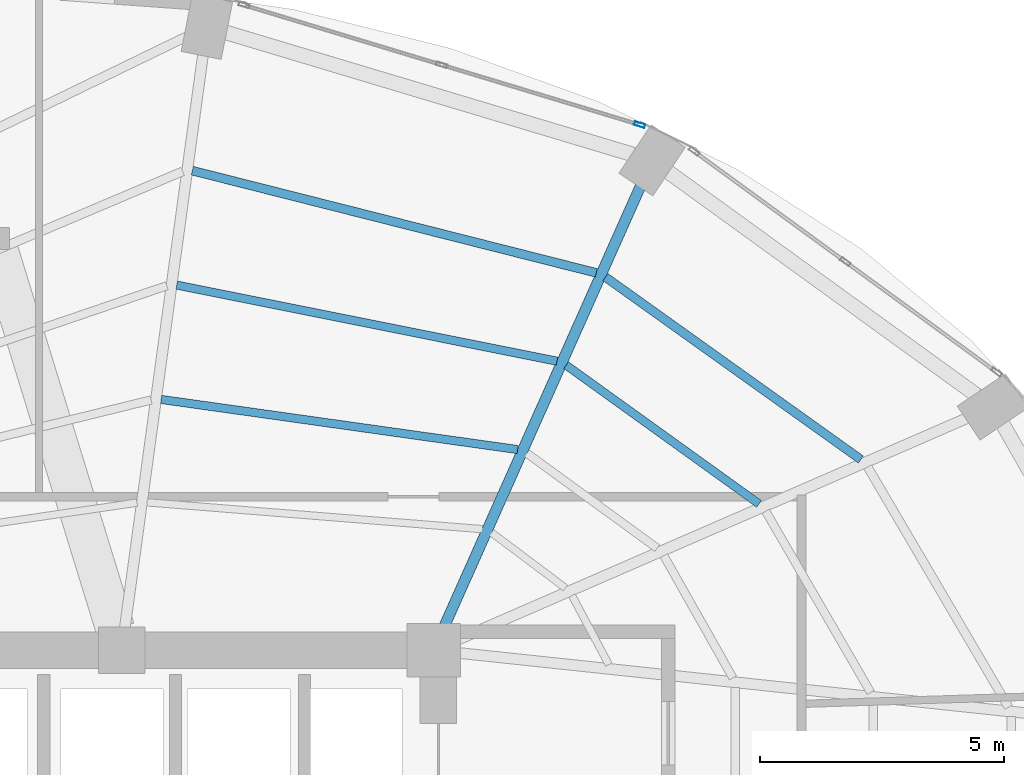
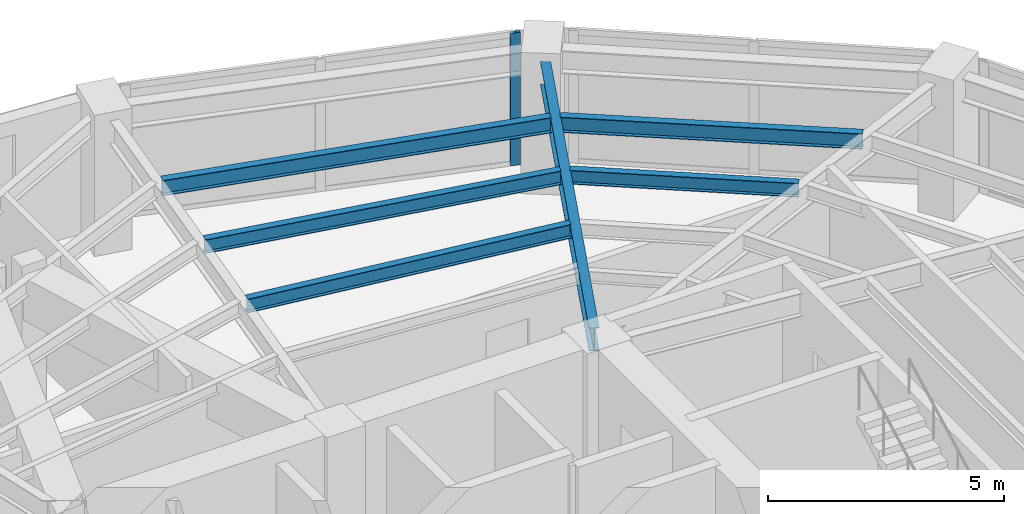
# One storey, part 16 of 23: 6 beams, 1 member, 1 element without a shape of its own.
"""IFC4 building model written with IfcOpenShell, lengths in metres."""

from ifc_helpers import new_model, si_unit, direction, frame, origin, origin_2d, place, context, subcontext, project, spatial, hollow_rectangle, i_section, extrude, material, layer, layer_set, material_profile, profile_set, type_object, element, aggregate, save


model = new_model("IFC4")

# Units and contexts
model_context = context("Model", 3, precision=1e-05, world=origin(), true_north=direction((0.0, 1.0)))
body_context = subcontext(model_context, "Body", "Model", "MODEL_VIEW")
ifc_project = project(units=[si_unit("LENGTHUNIT", "METRE"), si_unit("AREAUNIT", "SQUARE_METRE"), si_unit("VOLUMEUNIT", "CUBIC_METRE"), si_unit("PLANEANGLEUNIT", "RADIAN"), si_unit("MASSUNIT", "GRAM", prefix="KILO")], contexts=[model_context])

# Site, building, storey
site_placement = place(None, origin())
site = spatial("IfcSite", under=ifc_project, at=site_placement, CompositionType="ELEMENT")
building_placement = place(site_placement, origin())
building = spatial("IfcBuilding", under=site, at=building_placement, Name="Lazwardi Medical Tower", CompositionType="ELEMENT")
storey_placement = place(building_placement, frame((0.0, 0.0, 92.68798828125)))
storey = spatial("IfcBuildingStorey", under=building, at=storey_placement, Name="L23", CompositionType="ELEMENT", Elevation=92.68798828125)

# Beams
ifc_material_1 = material(Name="Steel S355", Category="steel")
ifc_material_profile_1 = material_profile(ifc_material_1, i_section(OverallWidth=0.219970703125, OverallDepth=0.60009765625, WebThickness=0.011962890625, FlangeThickness=0.01904296875, at=origin_2d()), Name="IPE 600")
ifc_profile_set_1 = profile_set([ifc_material_profile_1], Name="Steel S355")
beam_type_1 = type_object("IfcBeamType", Name="BM-RG-W1", PredefinedType="BEAM", material=ifc_profile_set_1)
beam_1_placement = place(storey_placement, frame((49.847412109375, 45.127685546875, 3.1279296875), z_axis=(-0.407165924957, -0.913354208155, 0.0), x_axis=(0.913354208155, -0.407165924957, 0.0)))
element("IfcBeam", 1, at=beam_1_placement, inside=storey, type_object=beam_type_1, Name="Radial girder RG-02 R07 L23", PredefinedType="BEAM", context=body_context, shape_type="SweptSolid", body=[
    extrude(i_section(OverallWidth=0.219970703125, OverallDepth=0.60009765625, WebThickness=0.011962890625, FlangeThickness=0.01904296875, at=origin_2d()), origin(), (0.0, 0.0, 1.0), 9.896484375),
])
ifc_material_profile_2 = material_profile(ifc_material_1, i_section(OverallWidth=0.179931640625, OverallDepth=0.39990234375, WebThickness=0.008544921875, FlangeThickness=0.013427734375, at=origin_2d()), Name="IPE 400")
ifc_profile_set_2 = profile_set([ifc_material_profile_2], Name="Steel S355")
beam_type_2 = type_object("IfcBeamType", Name="BM-SJ-01", PredefinedType="JOIST", material=ifc_profile_set_2)
beam_2_placement = place(storey_placement, frame((54.369384765625, 39.514404296875, 3.22802734375), z_axis=(-0.813748834317, 0.581216684763, 0.0), x_axis=(-0.581216684763, -0.813748834317, 0.0)))
element("IfcBeam", 2, at=beam_2_placement, inside=storey, type_object=beam_type_2, Name="Secondary joist SJ-01 R1 B06 L23", PredefinedType="JOIST", context=body_context, shape_type="SweptSolid", body=[
    extrude(i_section(OverallWidth=0.179931640625, OverallDepth=0.39990234375, WebThickness=0.008544921875, FlangeThickness=0.013427734375, at=origin_2d()), origin(), (0.0, 0.0, 1.0), 6.4423828125),
])
beam_3_placement = place(storey_placement, frame((48.939697265625, 43.345703125, 3.22802734375), z_axis=(-0.96945186753, 0.245281626997, 0.0), x_axis=(-0.245281626997, -0.96945186753, 0.0)))
element("IfcBeam", 3, at=beam_3_placement, inside=storey, type_object=beam_type_2, Name="Secondary joist SJ-01 R1 B07 L23", PredefinedType="JOIST", context=body_context, shape_type="SweptSolid", body=[
    extrude(i_section(OverallWidth=0.179931640625, OverallDepth=0.39990234375, WebThickness=0.008544921875, FlangeThickness=0.013427734375, at=origin_2d()), origin(), (0.0, 0.0, 1.0), 8.552978515625),
])
ifc_material_profile_3 = material_profile(ifc_material_1, i_section(OverallWidth=0.169921875, OverallDepth=0.360107421875, WebThickness=0.008056640625, FlangeThickness=0.0126953125, at=origin_2d()), Name="IPE 360")
ifc_profile_set_3 = profile_set([ifc_material_profile_3], Name="Steel S355")
beam_type_3 = type_object("IfcBeamType", Name="BM-SJ-02", PredefinedType="JOIST", material=ifc_profile_set_3)
beam_4_placement = place(storey_placement, frame((52.278564453125, 38.604736328125, 3.248046875), z_axis=(-0.811888517177, 0.583812500446, 0.0), x_axis=(-0.583812500446, -0.811888517177, 0.0)))
element("IfcBeam", 4, at=beam_4_placement, inside=storey, type_object=beam_type_3, Name="Secondary joist SJ-02 R2 B06 L23", PredefinedType="JOIST", context=body_context, shape_type="SweptSolid", body=[
    extrude(i_section(OverallWidth=0.169921875, OverallDepth=0.360107421875, WebThickness=0.008056640625, FlangeThickness=0.0126953125, at=origin_2d()), origin(), (0.0, 0.0, 1.0), 4.874755859375),
])
beam_5_placement = place(storey_placement, frame((48.1328125, 41.53271484375, 3.248046875), z_axis=(-0.980542906584, 0.196304886203, 0.0), x_axis=(-0.196304886203, -0.980542906584, 0.0)))
element("IfcBeam", 5, at=beam_5_placement, inside=storey, type_object=beam_type_3, Name="Secondary joist SJ-02 R2 B07 L23", PredefinedType="JOIST", context=body_context, shape_type="SweptSolid", body=[
    extrude(i_section(OverallWidth=0.169921875, OverallDepth=0.360107421875, WebThickness=0.008056640625, FlangeThickness=0.0126953125, at=origin_2d()), origin(), (0.0, 0.0, 1.0), 7.95947265625),
])
beam_6_placement = place(storey_placement, frame((47.32568359375, 39.718994140625, 3.248046875), z_axis=(-0.990260920731, 0.139223952222, 0.0), x_axis=(-0.139223952222, -0.990260920731, 0.0)))
element("IfcBeam", 6, at=beam_6_placement, inside=storey, type_object=beam_type_3, Name="Secondary joist SJ-02 R3 B07 L23", PredefinedType="JOIST", context=body_context, shape_type="SweptSolid", body=[
    extrude(i_section(OverallWidth=0.169921875, OverallDepth=0.360107421875, WebThickness=0.008056640625, FlangeThickness=0.0126953125, at=origin_2d()), origin(), (0.0, 0.0, 1.0), 7.3896484375),
])

# Curtain wall, member
ifc_material_2 = material(Name="Anodised bronze aluminium and solar control glazing", Category="aluminium")
ifc_layer = layer(ifc_material_2, 0.195068359375)
ifc_layer_set = layer_set([ifc_layer], Name="Anodised bronze aluminium and solar control glazing")
curtain_wall_type = type_object("IfcCurtainWallType", Name="CW-SYS-03", PredefinedType="NOTDEFINED", material=ifc_layer_set)
curtain_wall_placement = place(storey_placement, origin())
curtain_wall = element("IfcCurtainWall", 7, at=curtain_wall_placement, inside=storey, type_object=curtain_wall_type, Name="L23 Unitised bronze curtain wall CW-03", PredefinedType="NOTDEFINED")
ifc_material_3 = material(Name="Anodised bronze aluminium", Category="aluminium")
ifc_material_profile_4 = material_profile(ifc_material_3, hollow_rectangle(XDim=0.074951171875, YDim=0.219970703125, WallThickness=0.00390625, at=origin_2d()), Name="ALU-MULLION 220x75x4")
ifc_profile_set_4 = profile_set([ifc_material_profile_4], Name="Anodised bronze aluminium")
member_type = type_object("IfcMemberType", Name="CW-MUL-01", PredefinedType="MULLION", material=ifc_profile_set_4)
member_placement = place(storey_placement, frame((49.828369140625, 46.385986328125, 0.0), z_axis=(0.0, 0.0, 1.0), x_axis=(-0.28937381157, -0.957216170558, 0.0)))
member = element("IfcMember", 8, at=member_placement, type_object=member_type, Name="CW-03 mullion 1", PredefinedType="MULLION", context=body_context, shape_type="SweptSolid", body=[
    extrude(hollow_rectangle(XDim=0.074951171875, YDim=0.219970703125, WallThickness=0.00390625, at=origin_2d()), origin(), (0.0, 0.0, 1.0), 3.427978515625),
])
aggregate(curtain_wall, [member])

save(model, "model.ifc")
